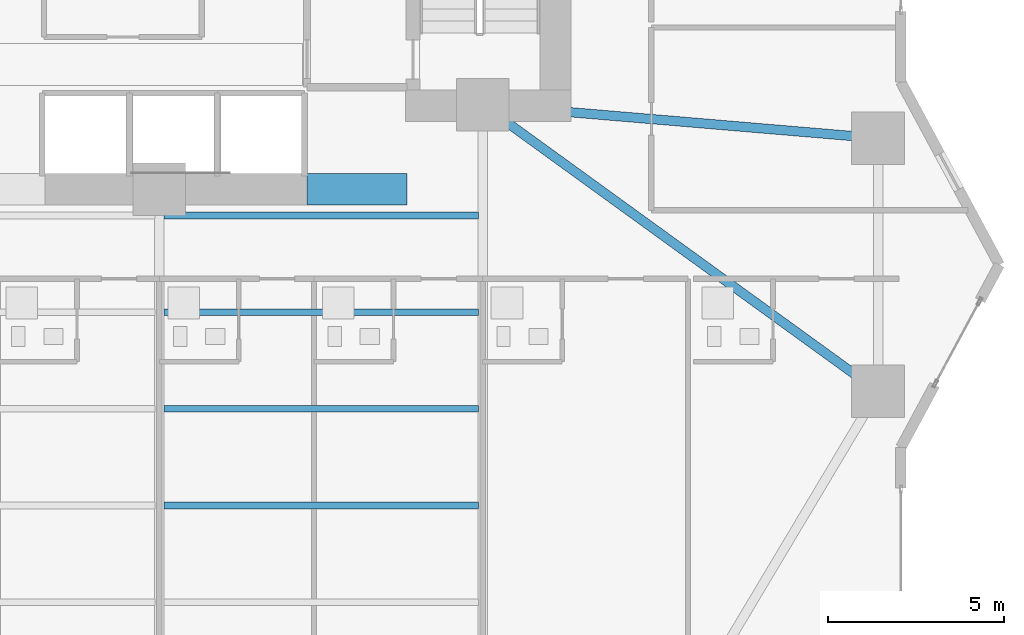
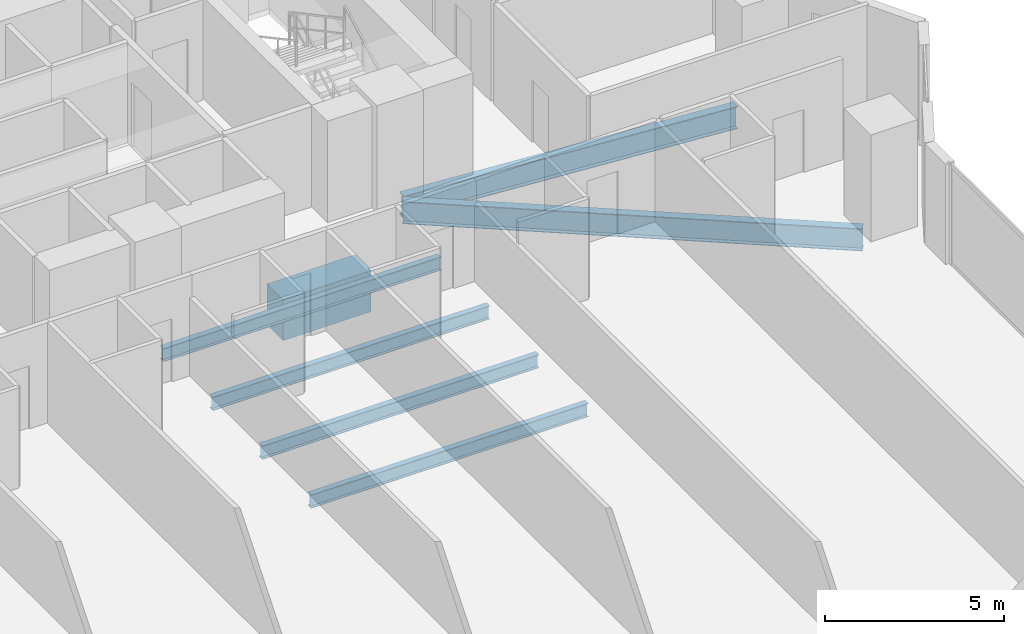
# One storey, part 11 of 29: 7 beams.
"""IFC4 building model written with IfcOpenShell, lengths in metres."""

from ifc_helpers import new_model, si_unit, direction, frame, origin, origin_2d, place, context, subcontext, project, spatial, rectangle, i_section, extrude, material, material_profile, profile_set, type_object, element, save


model = new_model("IFC4")

# Units and contexts
model_context = context("Model", 3, precision=1e-05, world=origin(), true_north=direction((0.0, 1.0)))
body_context = subcontext(model_context, "Body", "Model", "MODEL_VIEW")
ifc_project = project(units=[si_unit("LENGTHUNIT", "METRE"), si_unit("AREAUNIT", "SQUARE_METRE"), si_unit("VOLUMEUNIT", "CUBIC_METRE"), si_unit("PLANEANGLEUNIT", "RADIAN"), si_unit("MASSUNIT", "GRAM", prefix="KILO")], contexts=[model_context])

# Site, building, storey
site_placement = place(None, origin())
site = spatial("IfcSite", under=ifc_project, at=site_placement, CompositionType="ELEMENT")
building_placement = place(site_placement, origin())
building = spatial("IfcBuilding", under=site, at=building_placement, Name="Zuhayl Quay Hotel", CompositionType="ELEMENT")
storey_placement = place(building_placement, frame((0.0, 0.0, 64.10009765625)))
storey = spatial("IfcBuildingStorey", under=building, at=storey_placement, Name="L15", CompositionType="ELEMENT", Elevation=64.10009765625)

# Beams
ifc_material_1 = material(Name="Steel ASTM A992 Grade 50", Category="steel")
ifc_material_profile_1 = material_profile(ifc_material_1, i_section(OverallWidth=0.26708984375, OverallDepth=0.761962890625, WebThickness=0.014404296875, FlangeThickness=0.021484375, at=origin_2d()), Name="W30X116")
ifc_profile_set_1 = profile_set([ifc_material_profile_1], Name="Steel ASTM A992 Grade 50")
beam_type_1 = type_object("IfcBeamType", Name="BM_B1_W30X116", PredefinedType="BEAM", material=ifc_profile_set_1)
beam_1_placement = place(storey_placement, frame((14.164306640625, 4.285888671875, -0.60107421875), z_axis=(0.809830244688, -0.586664277751, 0.0), x_axis=(0.586664277751, 0.809830244688, 0.0)))
element("IfcBeam", 1, at=beam_1_placement, inside=storey, type_object=beam_type_1, Name="L15 Floor Beam FG_E_L15_1", PredefinedType="BEAM", context=body_context, shape_type="SweptSolid", body=[
    extrude(i_section(OverallWidth=0.26708984375, OverallDepth=0.761962890625, WebThickness=0.014404296875, FlangeThickness=0.021484375, at=origin_2d()), origin(), (0.0, 0.0, 1.0), 12.94189453125),
])
beam_2_placement = place(storey_placement, frame((14.248291015625, 4.51220703125, -0.60107421875), z_axis=(0.996453145398, -0.084149444594, 0.0), x_axis=(0.084149444594, 0.996453145398, 0.0)))
element("IfcBeam", 2, at=beam_2_placement, inside=storey, type_object=beam_type_1, Name="L15 Floor Beam FG_E_L15_2", PredefinedType="BEAM", context=body_context, shape_type="SweptSolid", body=[
    extrude(i_section(OverallWidth=0.26708984375, OverallDepth=0.761962890625, WebThickness=0.014404296875, FlangeThickness=0.021484375, at=origin_2d()), origin(), (0.0, 0.0, 1.0), 10.340087890625),
])
ifc_material_2 = material(Name="Concrete C60/75", Category="concrete")
ifc_material_profile_2 = material_profile(ifc_material_2, rectangle(XDim=0.89990234375, YDim=1.39990234375, at=origin_2d()), Name="RC900X1400")
ifc_profile_set_2 = profile_set([ifc_material_profile_2], Name="Concrete C60/75")
beam_type_2 = type_object("IfcBeamType", Name="BM_CB1_RC900", PredefinedType="T_BEAM", material=ifc_profile_set_2)
beam_3_placement = place(storey_placement, frame((8.800048828125, 2.14990234375, -0.920166015625), z_axis=(1.0, 0.0, 0.0), x_axis=(0.0, 1.0, 0.0)))
element("IfcBeam", 3, at=beam_3_placement, inside=storey, type_object=beam_type_2, Name="L15 Core Coupling Beam SE", PredefinedType="T_BEAM", context=body_context, shape_type="SweptSolid", body=[
    extrude(rectangle(XDim=0.89990234375, YDim=1.39990234375, at=origin_2d()), origin(), (0.0, 0.0, 1.0), 2.849853515625),
])
ifc_material_profile_3 = material_profile(ifc_material_1, i_section(OverallWidth=0.18994140625, OverallDepth=0.45703125, WebThickness=0.009033203125, FlangeThickness=0.014404296875, at=origin_2d()), Name="W18X50")
ifc_profile_set_3 = profile_set([ifc_material_profile_3], Name="Steel ASTM A992 Grade 50")
beam_type_3 = type_object("IfcBeamType", Name="BM_J2_W18X50", PredefinedType="JOIST", material=ifc_profile_set_3)
for number, where, z_axis, x_axis, name in (
    (4, (4.7255859375, -6.85009765625, -0.448486328125), (1.0, 0.0, 0.0), (0.0, 1.0, 0.0), "L15 Floor Beam FJ_L15_7_3"),
    (5, (4.7255859375, -4.10009765625, -0.448486328125), (1.0, 0.0, 0.0), (0.0, 1.0, 0.0), "L15 Floor Beam FJ_L15_8_3"),
    (6, (4.7255859375, -1.35009765625, -0.448486328125), (1.0, 0.0, 0.0), (0.0, 1.0, 0.0), "L15 Floor Beam FJ_L15_9_3"),
    (7, (4.7255859375, 1.39990234375, -0.448486328125), (1.0, 0.0, 0.0), (0.0, 1.0, 0.0), "L15 Floor Beam FJ_L15_10_3"),
):
    element("IfcBeam", number, at=place(storey_placement, frame(where, z_axis=z_axis, x_axis=x_axis)), inside=storey, type_object=beam_type_3, Name=name, PredefinedType="JOIST", context=body_context, shape_type="SweptSolid", body=[
        extrude(i_section(OverallWidth=0.18994140625, OverallDepth=0.45703125, WebThickness=0.009033203125, FlangeThickness=0.014404296875, at=origin_2d()), origin(), (0.0, 0.0, 1.0), 8.948974609375),
    ])

save(model, "model.ifc")
